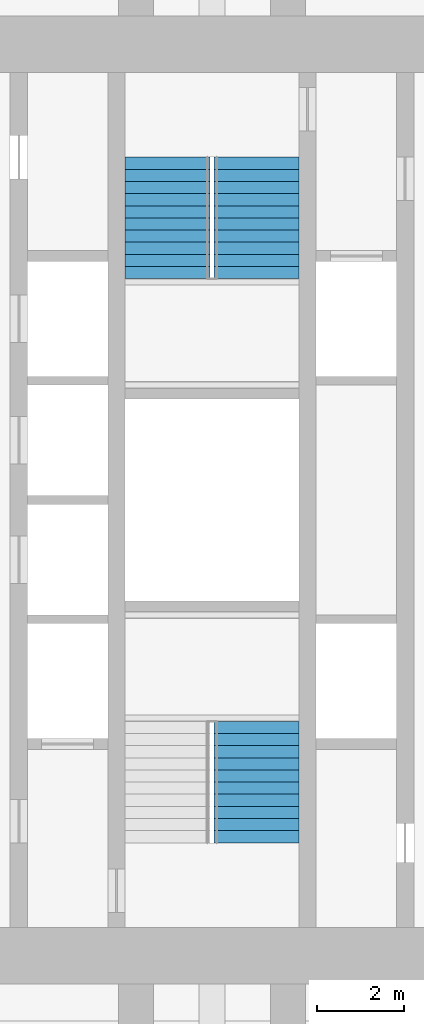
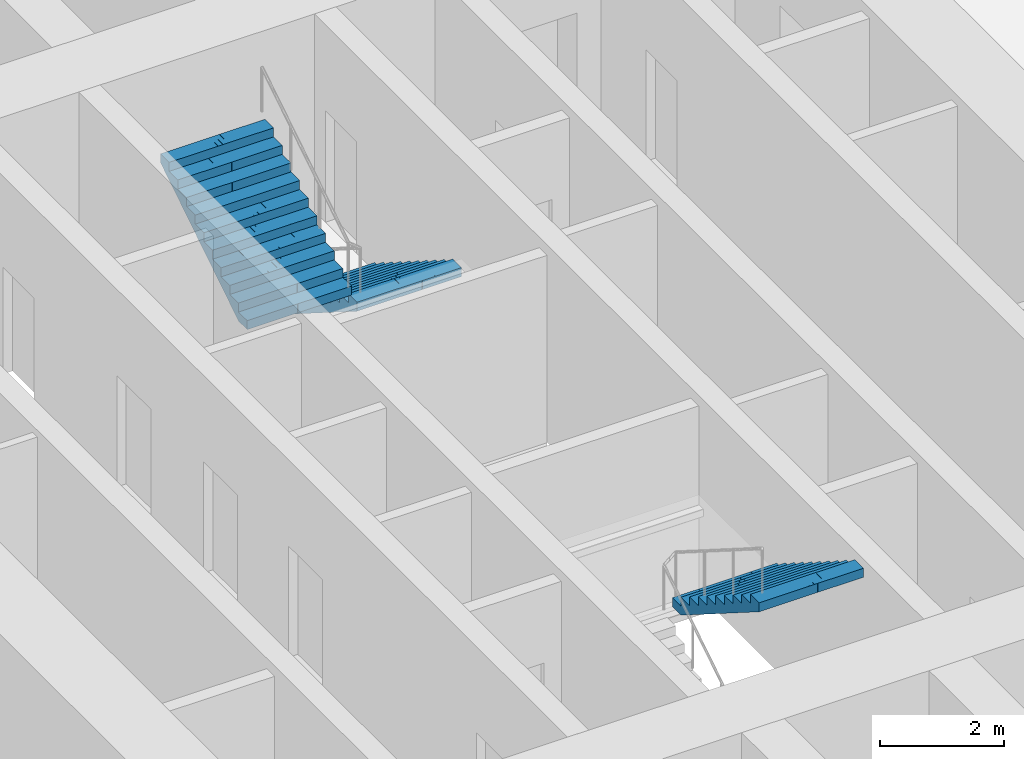
# One storey, part 18 of 19: 3 stair flights, 2 elements without a shape of their own.
"""IFC4 building model written with IfcOpenShell, lengths in metres."""

from ifc_helpers import new_model, si_unit, direction, frame, origin, place, context, subcontext, project, spatial, polyline, outline, extrude, material, type_object, element, aggregate, save


model = new_model("IFC4")

# Units and contexts
model_context = context("Model", 3, precision=1e-05, world=origin(), true_north=direction((0.0, 1.0)))
body_context = subcontext(model_context, "Body", "Model", "MODEL_VIEW")
ifc_project = project(units=[si_unit("LENGTHUNIT", "METRE"), si_unit("AREAUNIT", "SQUARE_METRE"), si_unit("VOLUMEUNIT", "CUBIC_METRE"), si_unit("PLANEANGLEUNIT", "RADIAN"), si_unit("MASSUNIT", "GRAM", prefix="KILO")], contexts=[model_context])

# Site, building, storey
site_placement = place(None, origin())
site = spatial("IfcSite", under=ifc_project, at=site_placement, CompositionType="ELEMENT")
building_placement = place(site_placement, origin())
building = spatial("IfcBuilding", under=site, at=building_placement, Name="Mizan Broadcast Tower", CompositionType="ELEMENT")
storey_placement = place(building_placement, frame((0.0, 0.0, 163.199951171875)))
storey = spatial("IfcBuildingStorey", under=building, at=storey_placement, Name="L37", CompositionType="ELEMENT", Elevation=163.199951171875)

# Stair, stair flight
ifc_material_1 = material(Name="Concrete C40/50", Category="concrete")
stair_type = type_object("IfcStairType", Name="EXIT STAIR", PredefinedType="HALF_TURN_STAIR", material=ifc_material_1)
stair_1_placement = place(storey_placement, origin())
stair_1 = element("IfcStair", 1, at=stair_1_placement, inside=storey, type_object=stair_type, Name="Stair A L37", PredefinedType="HALF_TURN_STAIR")
ifc_material_2 = material(Name="Concrete C40/50", Category="concrete")
stair_flight_type = type_object("IfcStairFlightType", Name="EXIT STAIR FLIGHT", PredefinedType="STRAIGHT", material=ifc_material_2)
stair_flight_1_placement = place(storey_placement, frame((1.02490234375, -5.10009765625, 1.949951171875), z_axis=(0.0, 0.0, 1.0), x_axis=(0.0, -1.0, 0.0)))
stair_flight_1 = element("IfcStairFlight", 2, at=stair_flight_1_placement, type_object=stair_flight_type, Name="A flight 2", NumberOfRisers=11, NumberOfTreads=10, PredefinedType="STRAIGHT", RiserHeight=0.177272727, TreadLength=0.28, context=body_context, shape_type="SweptSolid", body=[
    extrude(outline(polyline([(0.0, 0.0), (0.0, 0.17724609375), (0.280029296875, 0.17724609375), (0.280029296875, 0.3544921875), (0.56005859375, 0.3544921875), (0.56005859375, 0.53173828125), (0.840087890625, 0.53173828125), (0.840087890625, 0.708984375), (1.1201171875, 0.708984375), (1.1201171875, 0.886474609375), (1.39990234375, 0.886474609375), (1.39990234375, 1.063720703125), (1.679931640625, 1.063720703125), (1.679931640625, 1.240966796875), (1.9599609375, 1.240966796875), (1.9599609375, 1.418212890625), (2.239990234375, 1.418212890625), (2.239990234375, 1.595458984375), (2.52001953125, 1.595458984375), (2.52001953125, 1.772705078125), (2.800048828125, 1.772705078125), (2.800048828125, 1.949951171875), (2.800048828125, 1.59521484375), (0.2802734375, 0.0), (0.0, 0.0)])), frame((0.0, 0.97509765625, 0.0), z_axis=(0.0, -1.0, 0.0), x_axis=(1.0, 0.0, 0.0)), (0.0, 0.0, 1.0), 0.4873046875),
    extrude(outline(polyline([(0.0, 0.0), (0.0, 0.17724609375), (0.280029296875, 0.17724609375), (0.280029296875, 0.3544921875), (0.56005859375, 0.3544921875), (0.56005859375, 0.53173828125), (0.840087890625, 0.53173828125), (0.840087890625, 0.708984375), (1.1201171875, 0.708984375), (1.1201171875, 0.886474609375), (1.39990234375, 0.886474609375), (1.39990234375, 1.063720703125), (1.679931640625, 1.063720703125), (1.679931640625, 1.240966796875), (1.9599609375, 1.240966796875), (1.9599609375, 1.418212890625), (2.239990234375, 1.418212890625), (2.239990234375, 1.595458984375), (2.52001953125, 1.595458984375), (2.52001953125, 1.772705078125), (2.800048828125, 1.772705078125), (2.800048828125, 1.949951171875), (2.800048828125, 1.59521484375), (0.2802734375, 0.0), (0.0, 0.0)])), frame((0.0, 0.4873046875, 0.0), z_axis=(0.0, -1.0, 0.0), x_axis=(1.0, 0.0, 0.0)), (0.0, 0.0, 1.0), 0.2431640625),
    extrude(outline(polyline([(0.0, 0.0), (0.0, 0.17724609375), (0.280029296875, 0.17724609375), (0.280029296875, 0.3544921875), (0.56005859375, 0.3544921875), (0.56005859375, 0.53173828125), (0.840087890625, 0.53173828125), (0.840087890625, 0.708984375), (1.1201171875, 0.708984375), (1.1201171875, 0.886474609375), (1.39990234375, 0.886474609375), (1.39990234375, 1.063720703125), (1.679931640625, 1.063720703125), (1.679931640625, 1.240966796875), (1.9599609375, 1.240966796875), (1.9599609375, 1.418212890625), (2.239990234375, 1.418212890625), (2.239990234375, 1.595458984375), (2.52001953125, 1.595458984375), (2.52001953125, 1.772705078125), (2.800048828125, 1.772705078125), (2.800048828125, 1.949951171875), (2.800048828125, 1.59521484375), (0.2802734375, 0.0), (0.0, 0.0)])), frame((0.0, 0.24365234375, 0.0), z_axis=(0.0, -1.0, 0.0), x_axis=(1.0, 0.0, 0.0)), (0.0, 0.0, 1.0), 0.121337890625),
    extrude(outline(polyline([(0.0, 0.0), (0.0, 0.17724609375), (0.280029296875, 0.17724609375), (0.280029296875, 0.3544921875), (0.56005859375, 0.3544921875), (0.56005859375, 0.53173828125), (0.840087890625, 0.53173828125), (0.840087890625, 0.708984375), (1.1201171875, 0.708984375), (1.1201171875, 0.886474609375), (1.39990234375, 0.886474609375), (1.39990234375, 1.063720703125), (1.679931640625, 1.063720703125), (1.679931640625, 1.240966796875), (1.9599609375, 1.240966796875), (1.9599609375, 1.418212890625), (2.239990234375, 1.418212890625), (2.239990234375, 1.595458984375), (2.52001953125, 1.595458984375), (2.52001953125, 1.772705078125), (2.800048828125, 1.772705078125), (2.800048828125, 1.949951171875), (2.800048828125, 1.59521484375), (0.2802734375, 0.0), (0.0, 0.0)])), frame((0.0, 0.121826171875, 0.0), z_axis=(0.0, -1.0, 0.0), x_axis=(1.0, 0.0, 0.0)), (0.0, 0.0, 1.0), 0.060546875),
    extrude(outline(polyline([(0.0, 0.0), (0.0, 0.17724609375), (0.280029296875, 0.17724609375), (0.280029296875, 0.3544921875), (0.56005859375, 0.3544921875), (0.56005859375, 0.53173828125), (0.840087890625, 0.53173828125), (0.840087890625, 0.708984375), (1.1201171875, 0.708984375), (1.1201171875, 0.886474609375), (1.39990234375, 0.886474609375), (1.39990234375, 1.063720703125), (1.679931640625, 1.063720703125), (1.679931640625, 1.240966796875), (1.9599609375, 1.240966796875), (1.9599609375, 1.418212890625), (2.239990234375, 1.418212890625), (2.239990234375, 1.595458984375), (2.52001953125, 1.595458984375), (2.52001953125, 1.772705078125), (2.800048828125, 1.772705078125), (2.800048828125, 1.949951171875), (2.800048828125, 1.59521484375), (0.2802734375, 0.0), (0.0, 0.0)])), frame((0.0, 0.060791015625, 0.0), z_axis=(0.0, -1.0, 0.0), x_axis=(1.0, 0.0, 0.0)), (0.0, 0.0, 1.0), 0.030029296875),
    extrude(outline(polyline([(0.0, 0.0), (0.0, 0.17724609375), (0.280029296875, 0.17724609375), (0.280029296875, 0.3544921875), (0.56005859375, 0.3544921875), (0.56005859375, 0.53173828125), (0.840087890625, 0.53173828125), (0.840087890625, 0.708984375), (1.1201171875, 0.708984375), (1.1201171875, 0.886474609375), (1.39990234375, 0.886474609375), (1.39990234375, 1.063720703125), (1.679931640625, 1.063720703125), (1.679931640625, 1.240966796875), (1.9599609375, 1.240966796875), (1.9599609375, 1.418212890625), (2.239990234375, 1.418212890625), (2.239990234375, 1.595458984375), (2.52001953125, 1.595458984375), (2.52001953125, 1.772705078125), (2.800048828125, 1.772705078125), (2.800048828125, 1.949951171875), (2.800048828125, 1.59521484375), (0.2802734375, 0.0), (0.0, 0.0)])), frame((0.0, 0.0302734375, 0.0), z_axis=(0.0, -1.0, 0.0), x_axis=(1.0, 0.0, 0.0)), (0.0, 0.0, 1.0), 0.060302734375),
    extrude(outline(polyline([(0.0, 0.0), (0.0, 0.17724609375), (0.280029296875, 0.17724609375), (0.280029296875, 0.3544921875), (0.56005859375, 0.3544921875), (0.56005859375, 0.53173828125), (0.840087890625, 0.53173828125), (0.840087890625, 0.708984375), (1.1201171875, 0.708984375), (1.1201171875, 0.886474609375), (1.39990234375, 0.886474609375), (1.39990234375, 1.063720703125), (1.679931640625, 1.063720703125), (1.679931640625, 1.240966796875), (1.9599609375, 1.240966796875), (1.9599609375, 1.418212890625), (2.239990234375, 1.418212890625), (2.239990234375, 1.595458984375), (2.52001953125, 1.595458984375), (2.52001953125, 1.772705078125), (2.800048828125, 1.772705078125), (2.800048828125, 1.949951171875), (2.800048828125, 1.59521484375), (0.2802734375, 0.0), (0.0, 0.0)])), frame((0.0, -0.030517578125, 0.0), z_axis=(0.0, -1.0, 0.0), x_axis=(1.0, 0.0, 0.0)), (0.0, 0.0, 1.0), 0.030029296875),
    extrude(outline(polyline([(0.0, 0.0), (0.0, 0.17724609375), (0.280029296875, 0.17724609375), (0.280029296875, 0.3544921875), (0.56005859375, 0.3544921875), (0.56005859375, 0.53173828125), (0.840087890625, 0.53173828125), (0.840087890625, 0.708984375), (1.1201171875, 0.708984375), (1.1201171875, 0.886474609375), (1.39990234375, 0.886474609375), (1.39990234375, 1.063720703125), (1.679931640625, 1.063720703125), (1.679931640625, 1.240966796875), (1.9599609375, 1.240966796875), (1.9599609375, 1.418212890625), (2.239990234375, 1.418212890625), (2.239990234375, 1.595458984375), (2.52001953125, 1.595458984375), (2.52001953125, 1.772705078125), (2.800048828125, 1.772705078125), (2.800048828125, 1.949951171875), (2.800048828125, 1.59521484375), (0.2802734375, 0.0), (0.0, 0.0)])), frame((0.0, -0.06103515625, 0.0), z_axis=(0.0, -1.0, 0.0), x_axis=(1.0, 0.0, 0.0)), (0.0, 0.0, 1.0), 0.060546875),
    extrude(outline(polyline([(0.0, 0.0), (0.0, 0.17724609375), (0.280029296875, 0.17724609375), (0.280029296875, 0.3544921875), (0.56005859375, 0.3544921875), (0.56005859375, 0.53173828125), (0.840087890625, 0.53173828125), (0.840087890625, 0.708984375), (1.1201171875, 0.708984375), (1.1201171875, 0.886474609375), (1.39990234375, 0.886474609375), (1.39990234375, 1.063720703125), (1.679931640625, 1.063720703125), (1.679931640625, 1.240966796875), (1.9599609375, 1.240966796875), (1.9599609375, 1.418212890625), (2.239990234375, 1.418212890625), (2.239990234375, 1.595458984375), (2.52001953125, 1.595458984375), (2.52001953125, 1.772705078125), (2.800048828125, 1.772705078125), (2.800048828125, 1.949951171875), (2.800048828125, 1.59521484375), (0.2802734375, 0.0), (0.0, 0.0)])), frame((0.0, -0.1220703125, 0.0), z_axis=(0.0, -1.0, 0.0), x_axis=(1.0, 0.0, 0.0)), (0.0, 0.0, 1.0), 0.121337890625),
    extrude(outline(polyline([(0.0, 0.0), (0.0, 0.17724609375), (0.280029296875, 0.17724609375), (0.280029296875, 0.3544921875), (0.56005859375, 0.3544921875), (0.56005859375, 0.53173828125), (0.840087890625, 0.53173828125), (0.840087890625, 0.708984375), (1.1201171875, 0.708984375), (1.1201171875, 0.886474609375), (1.39990234375, 0.886474609375), (1.39990234375, 1.063720703125), (1.679931640625, 1.063720703125), (1.679931640625, 1.240966796875), (1.9599609375, 1.240966796875), (1.9599609375, 1.418212890625), (2.239990234375, 1.418212890625), (2.239990234375, 1.595458984375), (2.52001953125, 1.595458984375), (2.52001953125, 1.772705078125), (2.800048828125, 1.772705078125), (2.800048828125, 1.949951171875), (2.800048828125, 1.59521484375), (0.2802734375, 0.0), (0.0, 0.0)])), frame((0.0, -0.243896484375, 0.0), z_axis=(0.0, -1.0, 0.0), x_axis=(1.0, 0.0, 0.0)), (0.0, 0.0, 1.0), 0.2431640625),
    extrude(outline(polyline([(0.0, 0.0), (0.0, 0.17724609375), (0.280029296875, 0.17724609375), (0.280029296875, 0.3544921875), (0.56005859375, 0.3544921875), (0.56005859375, 0.53173828125), (0.840087890625, 0.53173828125), (0.840087890625, 0.708984375), (1.1201171875, 0.708984375), (1.1201171875, 0.886474609375), (1.39990234375, 0.886474609375), (1.39990234375, 1.063720703125), (1.679931640625, 1.063720703125), (1.679931640625, 1.240966796875), (1.9599609375, 1.240966796875), (1.9599609375, 1.418212890625), (2.239990234375, 1.418212890625), (2.239990234375, 1.595458984375), (2.52001953125, 1.595458984375), (2.52001953125, 1.772705078125), (2.800048828125, 1.772705078125), (2.800048828125, 1.949951171875), (2.800048828125, 1.59521484375), (0.2802734375, 0.0), (0.0, 0.0)])), frame((0.0, -0.487548828125, 0.0), z_axis=(0.0, -1.0, 0.0), x_axis=(1.0, 0.0, 0.0)), (0.0, 0.0, 1.0), 0.4873046875),
])
aggregate(stair_1, [stair_flight_1])

# Stair, stair flights
stair_2_placement = place(storey_placement, origin())
stair_2 = element("IfcStair", 3, at=stair_2_placement, inside=storey, type_object=stair_type, Name="Stair B L37", PredefinedType="HALF_TURN_STAIR")
stair_flight_2_placement = place(storey_placement, frame((1.02490234375, 7.89990234375, 0.0), z_axis=(0.0, 0.0, 1.0), x_axis=(0.0, -1.0, 0.0)))
stair_flight_2 = element("IfcStairFlight", 4, at=stair_flight_2_placement, type_object=stair_flight_type, Name="B flight 1", NumberOfRisers=11, NumberOfTreads=10, PredefinedType="STRAIGHT", RiserHeight=0.177272727, TreadLength=0.28, context=body_context, shape_type="SweptSolid", body=[
    extrude(outline(polyline([(0.0, 0.0), (0.0, 0.17724609375), (0.280029296875, 0.17724609375), (0.280029296875, 0.3544921875), (0.56005859375, 0.3544921875), (0.56005859375, 0.53173828125), (0.840087890625, 0.53173828125), (0.840087890625, 0.708984375), (1.1201171875, 0.708984375), (1.1201171875, 0.886474609375), (1.39990234375, 0.886474609375), (1.39990234375, 1.063720703125), (1.679931640625, 1.063720703125), (1.679931640625, 1.240966796875), (1.9599609375, 1.240966796875), (1.9599609375, 1.418212890625), (2.239990234375, 1.418212890625), (2.239990234375, 1.595458984375), (2.52001953125, 1.595458984375), (2.52001953125, 1.772705078125), (2.800048828125, 1.772705078125), (2.800048828125, 1.949951171875), (2.800048828125, 1.59521484375), (0.2802734375, 0.0), (0.0, 0.0)])), frame((0.0, 0.97509765625, 0.0), z_axis=(0.0, -1.0, 0.0), x_axis=(1.0, 0.0, 0.0)), (0.0, 0.0, 1.0), 0.4873046875),
    extrude(outline(polyline([(0.0, 0.0), (0.0, 0.17724609375), (0.280029296875, 0.17724609375), (0.280029296875, 0.3544921875), (0.56005859375, 0.3544921875), (0.56005859375, 0.53173828125), (0.840087890625, 0.53173828125), (0.840087890625, 0.708984375), (1.1201171875, 0.708984375), (1.1201171875, 0.886474609375), (1.39990234375, 0.886474609375), (1.39990234375, 1.063720703125), (1.679931640625, 1.063720703125), (1.679931640625, 1.240966796875), (1.9599609375, 1.240966796875), (1.9599609375, 1.418212890625), (2.239990234375, 1.418212890625), (2.239990234375, 1.595458984375), (2.52001953125, 1.595458984375), (2.52001953125, 1.772705078125), (2.800048828125, 1.772705078125), (2.800048828125, 1.949951171875), (2.800048828125, 1.59521484375), (0.2802734375, 0.0), (0.0, 0.0)])), frame((0.0, 0.4873046875, 0.0), z_axis=(0.0, -1.0, 0.0), x_axis=(1.0, 0.0, 0.0)), (0.0, 0.0, 1.0), 0.2431640625),
    extrude(outline(polyline([(0.0, 0.0), (0.0, 0.17724609375), (0.280029296875, 0.17724609375), (0.280029296875, 0.3544921875), (0.56005859375, 0.3544921875), (0.56005859375, 0.53173828125), (0.840087890625, 0.53173828125), (0.840087890625, 0.708984375), (1.1201171875, 0.708984375), (1.1201171875, 0.886474609375), (1.39990234375, 0.886474609375), (1.39990234375, 1.063720703125), (1.679931640625, 1.063720703125), (1.679931640625, 1.240966796875), (1.9599609375, 1.240966796875), (1.9599609375, 1.418212890625), (2.239990234375, 1.418212890625), (2.239990234375, 1.595458984375), (2.52001953125, 1.595458984375), (2.52001953125, 1.772705078125), (2.800048828125, 1.772705078125), (2.800048828125, 1.949951171875), (2.800048828125, 1.59521484375), (0.2802734375, 0.0), (0.0, 0.0)])), frame((0.0, 0.24365234375, 0.0), z_axis=(0.0, -1.0, 0.0), x_axis=(1.0, 0.0, 0.0)), (0.0, 0.0, 1.0), 0.121337890625),
    extrude(outline(polyline([(0.0, 0.0), (0.0, 0.17724609375), (0.280029296875, 0.17724609375), (0.280029296875, 0.3544921875), (0.56005859375, 0.3544921875), (0.56005859375, 0.53173828125), (0.840087890625, 0.53173828125), (0.840087890625, 0.708984375), (1.1201171875, 0.708984375), (1.1201171875, 0.886474609375), (1.39990234375, 0.886474609375), (1.39990234375, 1.063720703125), (1.679931640625, 1.063720703125), (1.679931640625, 1.240966796875), (1.9599609375, 1.240966796875), (1.9599609375, 1.418212890625), (2.239990234375, 1.418212890625), (2.239990234375, 1.595458984375), (2.52001953125, 1.595458984375), (2.52001953125, 1.772705078125), (2.800048828125, 1.772705078125), (2.800048828125, 1.949951171875), (2.800048828125, 1.59521484375), (0.2802734375, 0.0), (0.0, 0.0)])), frame((0.0, 0.121826171875, 0.0), z_axis=(0.0, -1.0, 0.0), x_axis=(1.0, 0.0, 0.0)), (0.0, 0.0, 1.0), 0.060546875),
    extrude(outline(polyline([(0.0, 0.0), (0.0, 0.17724609375), (0.280029296875, 0.17724609375), (0.280029296875, 0.3544921875), (0.56005859375, 0.3544921875), (0.56005859375, 0.53173828125), (0.840087890625, 0.53173828125), (0.840087890625, 0.708984375), (1.1201171875, 0.708984375), (1.1201171875, 0.886474609375), (1.39990234375, 0.886474609375), (1.39990234375, 1.063720703125), (1.679931640625, 1.063720703125), (1.679931640625, 1.240966796875), (1.9599609375, 1.240966796875), (1.9599609375, 1.418212890625), (2.239990234375, 1.418212890625), (2.239990234375, 1.595458984375), (2.52001953125, 1.595458984375), (2.52001953125, 1.772705078125), (2.800048828125, 1.772705078125), (2.800048828125, 1.949951171875), (2.800048828125, 1.59521484375), (0.2802734375, 0.0), (0.0, 0.0)])), frame((0.0, 0.060791015625, 0.0), z_axis=(0.0, -1.0, 0.0), x_axis=(1.0, 0.0, 0.0)), (0.0, 0.0, 1.0), 0.030029296875),
    extrude(outline(polyline([(0.0, 0.0), (0.0, 0.17724609375), (0.280029296875, 0.17724609375), (0.280029296875, 0.3544921875), (0.56005859375, 0.3544921875), (0.56005859375, 0.53173828125), (0.840087890625, 0.53173828125), (0.840087890625, 0.708984375), (1.1201171875, 0.708984375), (1.1201171875, 0.886474609375), (1.39990234375, 0.886474609375), (1.39990234375, 1.063720703125), (1.679931640625, 1.063720703125), (1.679931640625, 1.240966796875), (1.9599609375, 1.240966796875), (1.9599609375, 1.418212890625), (2.239990234375, 1.418212890625), (2.239990234375, 1.595458984375), (2.52001953125, 1.595458984375), (2.52001953125, 1.772705078125), (2.800048828125, 1.772705078125), (2.800048828125, 1.949951171875), (2.800048828125, 1.59521484375), (0.2802734375, 0.0), (0.0, 0.0)])), frame((0.0, 0.0302734375, 0.0), z_axis=(0.0, -1.0, 0.0), x_axis=(1.0, 0.0, 0.0)), (0.0, 0.0, 1.0), 0.060302734375),
    extrude(outline(polyline([(0.0, 0.0), (0.0, 0.17724609375), (0.280029296875, 0.17724609375), (0.280029296875, 0.3544921875), (0.56005859375, 0.3544921875), (0.56005859375, 0.53173828125), (0.840087890625, 0.53173828125), (0.840087890625, 0.708984375), (1.1201171875, 0.708984375), (1.1201171875, 0.886474609375), (1.39990234375, 0.886474609375), (1.39990234375, 1.063720703125), (1.679931640625, 1.063720703125), (1.679931640625, 1.240966796875), (1.9599609375, 1.240966796875), (1.9599609375, 1.418212890625), (2.239990234375, 1.418212890625), (2.239990234375, 1.595458984375), (2.52001953125, 1.595458984375), (2.52001953125, 1.772705078125), (2.800048828125, 1.772705078125), (2.800048828125, 1.949951171875), (2.800048828125, 1.59521484375), (0.2802734375, 0.0), (0.0, 0.0)])), frame((0.0, -0.030517578125, 0.0), z_axis=(0.0, -1.0, 0.0), x_axis=(1.0, 0.0, 0.0)), (0.0, 0.0, 1.0), 0.030029296875),
    extrude(outline(polyline([(0.0, 0.0), (0.0, 0.17724609375), (0.280029296875, 0.17724609375), (0.280029296875, 0.3544921875), (0.56005859375, 0.3544921875), (0.56005859375, 0.53173828125), (0.840087890625, 0.53173828125), (0.840087890625, 0.708984375), (1.1201171875, 0.708984375), (1.1201171875, 0.886474609375), (1.39990234375, 0.886474609375), (1.39990234375, 1.063720703125), (1.679931640625, 1.063720703125), (1.679931640625, 1.240966796875), (1.9599609375, 1.240966796875), (1.9599609375, 1.418212890625), (2.239990234375, 1.418212890625), (2.239990234375, 1.595458984375), (2.52001953125, 1.595458984375), (2.52001953125, 1.772705078125), (2.800048828125, 1.772705078125), (2.800048828125, 1.949951171875), (2.800048828125, 1.59521484375), (0.2802734375, 0.0), (0.0, 0.0)])), frame((0.0, -0.06103515625, 0.0), z_axis=(0.0, -1.0, 0.0), x_axis=(1.0, 0.0, 0.0)), (0.0, 0.0, 1.0), 0.060546875),
    extrude(outline(polyline([(0.0, 0.0), (0.0, 0.17724609375), (0.280029296875, 0.17724609375), (0.280029296875, 0.3544921875), (0.56005859375, 0.3544921875), (0.56005859375, 0.53173828125), (0.840087890625, 0.53173828125), (0.840087890625, 0.708984375), (1.1201171875, 0.708984375), (1.1201171875, 0.886474609375), (1.39990234375, 0.886474609375), (1.39990234375, 1.063720703125), (1.679931640625, 1.063720703125), (1.679931640625, 1.240966796875), (1.9599609375, 1.240966796875), (1.9599609375, 1.418212890625), (2.239990234375, 1.418212890625), (2.239990234375, 1.595458984375), (2.52001953125, 1.595458984375), (2.52001953125, 1.772705078125), (2.800048828125, 1.772705078125), (2.800048828125, 1.949951171875), (2.800048828125, 1.59521484375), (0.2802734375, 0.0), (0.0, 0.0)])), frame((0.0, -0.1220703125, 0.0), z_axis=(0.0, -1.0, 0.0), x_axis=(1.0, 0.0, 0.0)), (0.0, 0.0, 1.0), 0.121337890625),
    extrude(outline(polyline([(0.0, 0.0), (0.0, 0.17724609375), (0.280029296875, 0.17724609375), (0.280029296875, 0.3544921875), (0.56005859375, 0.3544921875), (0.56005859375, 0.53173828125), (0.840087890625, 0.53173828125), (0.840087890625, 0.708984375), (1.1201171875, 0.708984375), (1.1201171875, 0.886474609375), (1.39990234375, 0.886474609375), (1.39990234375, 1.063720703125), (1.679931640625, 1.063720703125), (1.679931640625, 1.240966796875), (1.9599609375, 1.240966796875), (1.9599609375, 1.418212890625), (2.239990234375, 1.418212890625), (2.239990234375, 1.595458984375), (2.52001953125, 1.595458984375), (2.52001953125, 1.772705078125), (2.800048828125, 1.772705078125), (2.800048828125, 1.949951171875), (2.800048828125, 1.59521484375), (0.2802734375, 0.0), (0.0, 0.0)])), frame((0.0, -0.243896484375, 0.0), z_axis=(0.0, -1.0, 0.0), x_axis=(1.0, 0.0, 0.0)), (0.0, 0.0, 1.0), 0.2431640625),
    extrude(outline(polyline([(0.0, 0.0), (0.0, 0.17724609375), (0.280029296875, 0.17724609375), (0.280029296875, 0.3544921875), (0.56005859375, 0.3544921875), (0.56005859375, 0.53173828125), (0.840087890625, 0.53173828125), (0.840087890625, 0.708984375), (1.1201171875, 0.708984375), (1.1201171875, 0.886474609375), (1.39990234375, 0.886474609375), (1.39990234375, 1.063720703125), (1.679931640625, 1.063720703125), (1.679931640625, 1.240966796875), (1.9599609375, 1.240966796875), (1.9599609375, 1.418212890625), (2.239990234375, 1.418212890625), (2.239990234375, 1.595458984375), (2.52001953125, 1.595458984375), (2.52001953125, 1.772705078125), (2.800048828125, 1.772705078125), (2.800048828125, 1.949951171875), (2.800048828125, 1.59521484375), (0.2802734375, 0.0), (0.0, 0.0)])), frame((0.0, -0.487548828125, 0.0), z_axis=(0.0, -1.0, 0.0), x_axis=(1.0, 0.0, 0.0)), (0.0, 0.0, 1.0), 0.4873046875),
])
stair_flight_3_placement = place(storey_placement, frame((-1.02490234375, 5.10009765625, 1.949951171875), z_axis=(0.0, 0.0, 1.0), x_axis=(0.0, 1.0, 0.0)))
stair_flight_3 = element("IfcStairFlight", 5, at=stair_flight_3_placement, type_object=stair_flight_type, Name="B flight 2", NumberOfRisers=11, NumberOfTreads=10, PredefinedType="STRAIGHT", RiserHeight=0.177272727, TreadLength=0.28, context=body_context, shape_type="SweptSolid", body=[
    extrude(outline(polyline([(0.0, 0.0), (0.0, 0.17724609375), (0.280029296875, 0.17724609375), (0.280029296875, 0.3544921875), (0.56005859375, 0.3544921875), (0.56005859375, 0.53173828125), (0.840087890625, 0.53173828125), (0.840087890625, 0.708984375), (1.1201171875, 0.708984375), (1.1201171875, 0.886474609375), (1.39990234375, 0.886474609375), (1.39990234375, 1.063720703125), (1.679931640625, 1.063720703125), (1.679931640625, 1.240966796875), (1.9599609375, 1.240966796875), (1.9599609375, 1.418212890625), (2.239990234375, 1.418212890625), (2.239990234375, 1.595458984375), (2.52001953125, 1.595458984375), (2.52001953125, 1.772705078125), (2.800048828125, 1.772705078125), (2.800048828125, 1.949951171875), (2.800048828125, 1.59521484375), (0.2802734375, 0.0), (0.0, 0.0)])), frame((0.0, 0.97509765625, 0.0), z_axis=(0.0, -1.0, 0.0), x_axis=(1.0, 0.0, 0.0)), (0.0, 0.0, 1.0), 0.4873046875),
    extrude(outline(polyline([(0.0, 0.0), (0.0, 0.17724609375), (0.280029296875, 0.17724609375), (0.280029296875, 0.3544921875), (0.56005859375, 0.3544921875), (0.56005859375, 0.53173828125), (0.840087890625, 0.53173828125), (0.840087890625, 0.708984375), (1.1201171875, 0.708984375), (1.1201171875, 0.886474609375), (1.39990234375, 0.886474609375), (1.39990234375, 1.063720703125), (1.679931640625, 1.063720703125), (1.679931640625, 1.240966796875), (1.9599609375, 1.240966796875), (1.9599609375, 1.418212890625), (2.239990234375, 1.418212890625), (2.239990234375, 1.595458984375), (2.52001953125, 1.595458984375), (2.52001953125, 1.772705078125), (2.800048828125, 1.772705078125), (2.800048828125, 1.949951171875), (2.800048828125, 1.59521484375), (0.2802734375, 0.0), (0.0, 0.0)])), frame((0.0, 0.4873046875, 0.0), z_axis=(0.0, -1.0, 0.0), x_axis=(1.0, 0.0, 0.0)), (0.0, 0.0, 1.0), 0.2431640625),
    extrude(outline(polyline([(0.0, 0.0), (0.0, 0.17724609375), (0.280029296875, 0.17724609375), (0.280029296875, 0.3544921875), (0.56005859375, 0.3544921875), (0.56005859375, 0.53173828125), (0.840087890625, 0.53173828125), (0.840087890625, 0.708984375), (1.1201171875, 0.708984375), (1.1201171875, 0.886474609375), (1.39990234375, 0.886474609375), (1.39990234375, 1.063720703125), (1.679931640625, 1.063720703125), (1.679931640625, 1.240966796875), (1.9599609375, 1.240966796875), (1.9599609375, 1.418212890625), (2.239990234375, 1.418212890625), (2.239990234375, 1.595458984375), (2.52001953125, 1.595458984375), (2.52001953125, 1.772705078125), (2.800048828125, 1.772705078125), (2.800048828125, 1.949951171875), (2.800048828125, 1.59521484375), (0.2802734375, 0.0), (0.0, 0.0)])), frame((0.0, 0.24365234375, 0.0), z_axis=(0.0, -1.0, 0.0), x_axis=(1.0, 0.0, 0.0)), (0.0, 0.0, 1.0), 0.121337890625),
    extrude(outline(polyline([(0.0, 0.0), (0.0, 0.17724609375), (0.280029296875, 0.17724609375), (0.280029296875, 0.3544921875), (0.56005859375, 0.3544921875), (0.56005859375, 0.53173828125), (0.840087890625, 0.53173828125), (0.840087890625, 0.708984375), (1.1201171875, 0.708984375), (1.1201171875, 0.886474609375), (1.39990234375, 0.886474609375), (1.39990234375, 1.063720703125), (1.679931640625, 1.063720703125), (1.679931640625, 1.240966796875), (1.9599609375, 1.240966796875), (1.9599609375, 1.418212890625), (2.239990234375, 1.418212890625), (2.239990234375, 1.595458984375), (2.52001953125, 1.595458984375), (2.52001953125, 1.772705078125), (2.800048828125, 1.772705078125), (2.800048828125, 1.949951171875), (2.800048828125, 1.59521484375), (0.2802734375, 0.0), (0.0, 0.0)])), frame((0.0, 0.121826171875, 0.0), z_axis=(0.0, -1.0, 0.0), x_axis=(1.0, 0.0, 0.0)), (0.0, 0.0, 1.0), 0.060546875),
    extrude(outline(polyline([(0.0, 0.0), (0.0, 0.17724609375), (0.280029296875, 0.17724609375), (0.280029296875, 0.3544921875), (0.56005859375, 0.3544921875), (0.56005859375, 0.53173828125), (0.840087890625, 0.53173828125), (0.840087890625, 0.708984375), (1.1201171875, 0.708984375), (1.1201171875, 0.886474609375), (1.39990234375, 0.886474609375), (1.39990234375, 1.063720703125), (1.679931640625, 1.063720703125), (1.679931640625, 1.240966796875), (1.9599609375, 1.240966796875), (1.9599609375, 1.418212890625), (2.239990234375, 1.418212890625), (2.239990234375, 1.595458984375), (2.52001953125, 1.595458984375), (2.52001953125, 1.772705078125), (2.800048828125, 1.772705078125), (2.800048828125, 1.949951171875), (2.800048828125, 1.59521484375), (0.2802734375, 0.0), (0.0, 0.0)])), frame((0.0, 0.060791015625, 0.0), z_axis=(0.0, -1.0, 0.0), x_axis=(1.0, 0.0, 0.0)), (0.0, 0.0, 1.0), 0.030029296875),
    extrude(outline(polyline([(0.0, 0.0), (0.0, 0.17724609375), (0.280029296875, 0.17724609375), (0.280029296875, 0.3544921875), (0.56005859375, 0.3544921875), (0.56005859375, 0.53173828125), (0.840087890625, 0.53173828125), (0.840087890625, 0.708984375), (1.1201171875, 0.708984375), (1.1201171875, 0.886474609375), (1.39990234375, 0.886474609375), (1.39990234375, 1.063720703125), (1.679931640625, 1.063720703125), (1.679931640625, 1.240966796875), (1.9599609375, 1.240966796875), (1.9599609375, 1.418212890625), (2.239990234375, 1.418212890625), (2.239990234375, 1.595458984375), (2.52001953125, 1.595458984375), (2.52001953125, 1.772705078125), (2.800048828125, 1.772705078125), (2.800048828125, 1.949951171875), (2.800048828125, 1.59521484375), (0.2802734375, 0.0), (0.0, 0.0)])), frame((0.0, 0.0302734375, 0.0), z_axis=(0.0, -1.0, 0.0), x_axis=(1.0, 0.0, 0.0)), (0.0, 0.0, 1.0), 0.060302734375),
    extrude(outline(polyline([(0.0, 0.0), (0.0, 0.17724609375), (0.280029296875, 0.17724609375), (0.280029296875, 0.3544921875), (0.56005859375, 0.3544921875), (0.56005859375, 0.53173828125), (0.840087890625, 0.53173828125), (0.840087890625, 0.708984375), (1.1201171875, 0.708984375), (1.1201171875, 0.886474609375), (1.39990234375, 0.886474609375), (1.39990234375, 1.063720703125), (1.679931640625, 1.063720703125), (1.679931640625, 1.240966796875), (1.9599609375, 1.240966796875), (1.9599609375, 1.418212890625), (2.239990234375, 1.418212890625), (2.239990234375, 1.595458984375), (2.52001953125, 1.595458984375), (2.52001953125, 1.772705078125), (2.800048828125, 1.772705078125), (2.800048828125, 1.949951171875), (2.800048828125, 1.59521484375), (0.2802734375, 0.0), (0.0, 0.0)])), frame((0.0, -0.030517578125, 0.0), z_axis=(0.0, -1.0, 0.0), x_axis=(1.0, 0.0, 0.0)), (0.0, 0.0, 1.0), 0.030029296875),
    extrude(outline(polyline([(0.0, 0.0), (0.0, 0.17724609375), (0.280029296875, 0.17724609375), (0.280029296875, 0.3544921875), (0.56005859375, 0.3544921875), (0.56005859375, 0.53173828125), (0.840087890625, 0.53173828125), (0.840087890625, 0.708984375), (1.1201171875, 0.708984375), (1.1201171875, 0.886474609375), (1.39990234375, 0.886474609375), (1.39990234375, 1.063720703125), (1.679931640625, 1.063720703125), (1.679931640625, 1.240966796875), (1.9599609375, 1.240966796875), (1.9599609375, 1.418212890625), (2.239990234375, 1.418212890625), (2.239990234375, 1.595458984375), (2.52001953125, 1.595458984375), (2.52001953125, 1.772705078125), (2.800048828125, 1.772705078125), (2.800048828125, 1.949951171875), (2.800048828125, 1.59521484375), (0.2802734375, 0.0), (0.0, 0.0)])), frame((0.0, -0.06103515625, 0.0), z_axis=(0.0, -1.0, 0.0), x_axis=(1.0, 0.0, 0.0)), (0.0, 0.0, 1.0), 0.060546875),
    extrude(outline(polyline([(0.0, 0.0), (0.0, 0.17724609375), (0.280029296875, 0.17724609375), (0.280029296875, 0.3544921875), (0.56005859375, 0.3544921875), (0.56005859375, 0.53173828125), (0.840087890625, 0.53173828125), (0.840087890625, 0.708984375), (1.1201171875, 0.708984375), (1.1201171875, 0.886474609375), (1.39990234375, 0.886474609375), (1.39990234375, 1.063720703125), (1.679931640625, 1.063720703125), (1.679931640625, 1.240966796875), (1.9599609375, 1.240966796875), (1.9599609375, 1.418212890625), (2.239990234375, 1.418212890625), (2.239990234375, 1.595458984375), (2.52001953125, 1.595458984375), (2.52001953125, 1.772705078125), (2.800048828125, 1.772705078125), (2.800048828125, 1.949951171875), (2.800048828125, 1.59521484375), (0.2802734375, 0.0), (0.0, 0.0)])), frame((0.0, -0.1220703125, 0.0), z_axis=(0.0, -1.0, 0.0), x_axis=(1.0, 0.0, 0.0)), (0.0, 0.0, 1.0), 0.121337890625),
    extrude(outline(polyline([(0.0, 0.0), (0.0, 0.17724609375), (0.280029296875, 0.17724609375), (0.280029296875, 0.3544921875), (0.56005859375, 0.3544921875), (0.56005859375, 0.53173828125), (0.840087890625, 0.53173828125), (0.840087890625, 0.708984375), (1.1201171875, 0.708984375), (1.1201171875, 0.886474609375), (1.39990234375, 0.886474609375), (1.39990234375, 1.063720703125), (1.679931640625, 1.063720703125), (1.679931640625, 1.240966796875), (1.9599609375, 1.240966796875), (1.9599609375, 1.418212890625), (2.239990234375, 1.418212890625), (2.239990234375, 1.595458984375), (2.52001953125, 1.595458984375), (2.52001953125, 1.772705078125), (2.800048828125, 1.772705078125), (2.800048828125, 1.949951171875), (2.800048828125, 1.59521484375), (0.2802734375, 0.0), (0.0, 0.0)])), frame((0.0, -0.243896484375, 0.0), z_axis=(0.0, -1.0, 0.0), x_axis=(1.0, 0.0, 0.0)), (0.0, 0.0, 1.0), 0.2431640625),
    extrude(outline(polyline([(0.0, 0.0), (0.0, 0.17724609375), (0.280029296875, 0.17724609375), (0.280029296875, 0.3544921875), (0.56005859375, 0.3544921875), (0.56005859375, 0.53173828125), (0.840087890625, 0.53173828125), (0.840087890625, 0.708984375), (1.1201171875, 0.708984375), (1.1201171875, 0.886474609375), (1.39990234375, 0.886474609375), (1.39990234375, 1.063720703125), (1.679931640625, 1.063720703125), (1.679931640625, 1.240966796875), (1.9599609375, 1.240966796875), (1.9599609375, 1.418212890625), (2.239990234375, 1.418212890625), (2.239990234375, 1.595458984375), (2.52001953125, 1.595458984375), (2.52001953125, 1.772705078125), (2.800048828125, 1.772705078125), (2.800048828125, 1.949951171875), (2.800048828125, 1.59521484375), (0.2802734375, 0.0), (0.0, 0.0)])), frame((0.0, -0.487548828125, 0.0), z_axis=(0.0, -1.0, 0.0), x_axis=(1.0, 0.0, 0.0)), (0.0, 0.0, 1.0), 0.4873046875),
])
aggregate(stair_2, [stair_flight_2, stair_flight_3])

save(model, "model.ifc")
